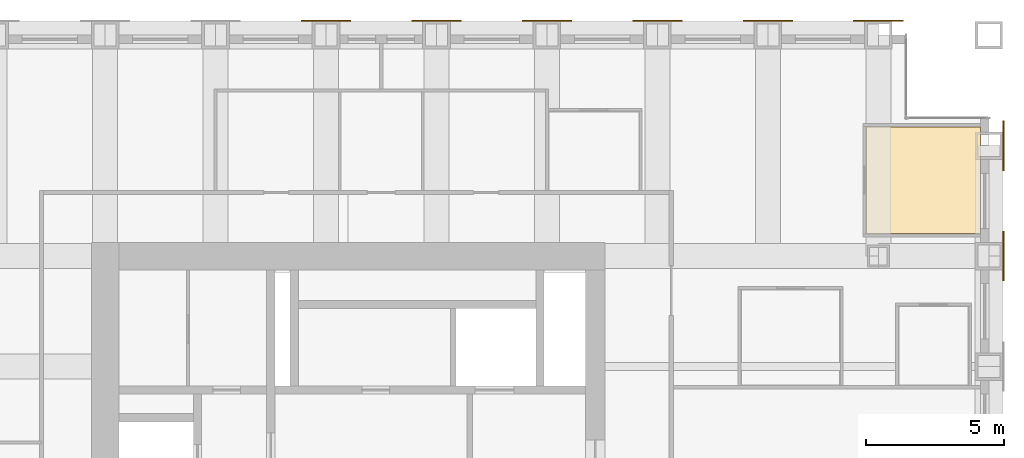
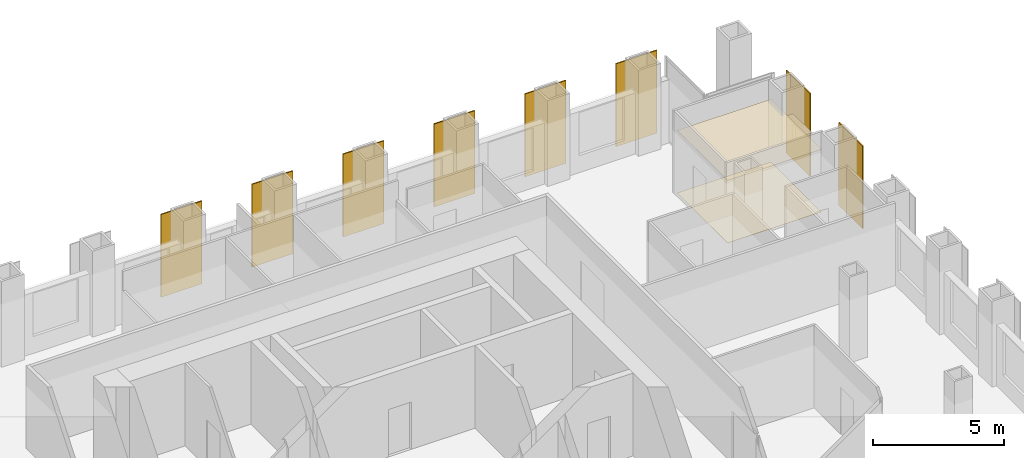
# One storey, part 13 of 13: 8 shading devices, 2 coverings.
"""IFC4 building model written with IfcOpenShell, lengths in metres."""

from ifc_helpers import new_model, si_unit, direction, frame, origin, origin_2d, place, context, subcontext, project, spatial, polyline, rectangle, outline, extrude, material, layer, layer_set, type_object, element, save


model = new_model("IFC4")

# Units and contexts
model_context = context("Model", 3, precision=1e-05, world=origin(), true_north=direction((0.0, 1.0)))
body_context = subcontext(model_context, "Body", "Model", "MODEL_VIEW")
ifc_project = project(units=[si_unit("LENGTHUNIT", "METRE"), si_unit("AREAUNIT", "SQUARE_METRE"), si_unit("VOLUMEUNIT", "CUBIC_METRE"), si_unit("PLANEANGLEUNIT", "RADIAN"), si_unit("MASSUNIT", "GRAM", prefix="KILO")], contexts=[model_context])

# Site, building, storey
site_placement = place(None, origin())
site = spatial("IfcSite", under=ifc_project, at=site_placement, CompositionType="ELEMENT")
building_placement = place(site_placement, origin())
building = spatial("IfcBuilding", under=site, at=building_placement, Name="Rimbunsela Tower", CompositionType="ELEMENT")
storey_placement = place(building_placement, frame((0.0, 0.0, 262.199951171875)))
storey = spatial("IfcBuildingStorey", under=building, at=storey_placement, Name="L63", CompositionType="ELEMENT", Elevation=262.199951171875)

# Coverings
ifc_material_1 = material(Name="Nylon carpet tile", Category="textile")
ifc_layer_1 = layer(ifc_material_1, 0.010009765625)
ifc_layer_set_1 = layer_set([ifc_layer_1], Name="Carpet tile 10")
covering_type_1 = type_object("IfcCoveringType", Name="Carpet tile 10", PredefinedType="FLOORING", material=ifc_layer_set_1)
covering_1_placement = place(storey_placement, origin())
element("IfcCovering", 1, at=covering_1_placement, inside=storey, type_object=covering_type_1, Name="Floor finish Executive office", PredefinedType="FLOORING", context=body_context, shape_type="SweptSolid", body=[
    extrude(outline(polyline([(49.699951171875, 36.824951171875), (49.699951171875, 40.675048828125), (45.574951171875, 40.675048828125), (45.574951171875, 36.824951171875), (49.699951171875, 36.824951171875)])), origin(), (0.0, 0.0, 1.0), 0.010009765625),
])
ifc_material_2 = material(Name="Mineral fibre ceiling tile", Category="gypsum")
ifc_layer_2 = layer(ifc_material_2, 0.02001953125)
ifc_layer_set_2 = layer_set([ifc_layer_2], Name="Ceiling 600 grid")
covering_type_2 = type_object("IfcCoveringType", Name="Ceiling 600 grid", PredefinedType="CEILING", material=ifc_layer_set_2)
covering_2_placement = place(storey_placement, frame((0.0, 0.0, 2.900146484375)))
element("IfcCovering", 2, at=covering_2_placement, inside=storey, type_object=covering_type_2, Name="Ceiling Executive office", PredefinedType="CEILING", context=body_context, shape_type="SweptSolid", body=[
    extrude(outline(polyline([(49.699951171875, 36.824951171875), (49.699951171875, 40.675048828125), (45.574951171875, 40.675048828125), (45.574951171875, 36.824951171875), (49.699951171875, 36.824951171875)])), origin(), (0.0, 0.0, 1.0), 0.02001953125),
])

# Shading devices
ifc_material_3 = material(Name="Perforated aluminium, 35 % open area", Category="aluminium")
ifc_layer_3 = layer(ifc_material_3, 0.050048828125)
ifc_layer_set_3 = layer_set([ifc_layer_3], Name="Solar screen panel 1800")
shading_device_type = type_object("IfcShadingDeviceType", Name="Solar screen panel 1800", PredefinedType="USERDEFINED", material=ifc_layer_set_3)
for number, where, z_axis, x_axis, name in (
    (3, (50.52490234375, 36.0, 0.0), (0.0, 0.0, 1.0), (0.0, 1.0, 0.0), "Solar screen E L63"),
    (4, (50.52490234375, 40.0, 0.0), (0.0, 0.0, 1.0), (0.0, 1.0, 0.0), "Solar screen E L63"),
    (5, (26.0, 44.52490234375, 0.0), (0.0, 0.0, 1.0), (1.0, 0.0, 0.0), "Solar screen N L63"),
    (6, (30.0, 44.52490234375, 0.0), (0.0, 0.0, 1.0), (1.0, 0.0, 0.0), "Solar screen N L63"),
    (7, (34.0, 44.52490234375, 0.0), (0.0, 0.0, 1.0), (1.0, 0.0, 0.0), "Solar screen N L63"),
    (8, (38.0, 44.52490234375, 0.0), (0.0, 0.0, 1.0), (1.0, 0.0, 0.0), "Solar screen N L63"),
    (9, (42.0, 44.52490234375, 0.0), (0.0, 0.0, 1.0), (1.0, 0.0, 0.0), "Solar screen N L63"),
    (10, (46.0, 44.52490234375, 0.0), (0.0, 0.0, 1.0), (1.0, 0.0, 0.0), "Solar screen N L63"),
):
    element("IfcShadingDevice", number, at=place(storey_placement, frame(where, z_axis=z_axis, x_axis=x_axis)), inside=storey, type_object=shading_device_type, Name=name, ObjectType="SCREEN", PredefinedType="USERDEFINED", context=body_context, shape_type="SweptSolid", body=[
        extrude(rectangle(XDim=1.800048828125, YDim=0.050048828125, at=origin_2d()), origin(), (0.0, 0.0, 1.0), 3.85009765625),
    ])

save(model, "model.ifc")
